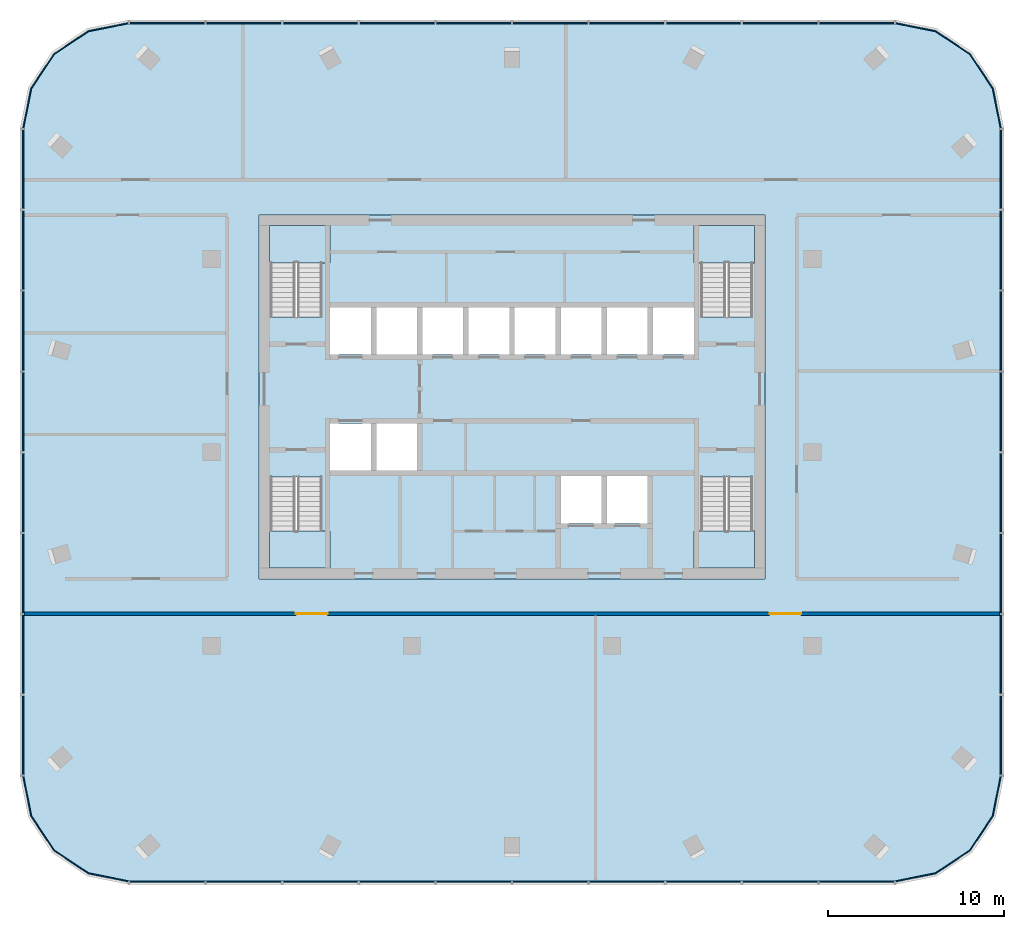
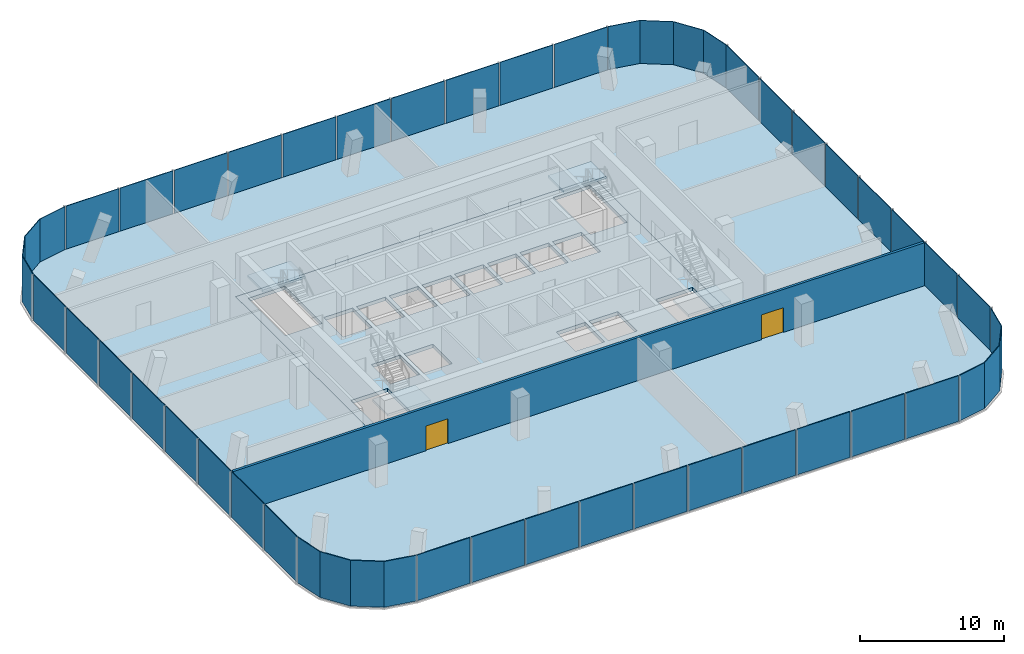
# One storey, part 6 of 10: 40 plates, 6 slabs, 2 doors, 1 wall, 2 openings, 12 elements without a shape of their own.
"""IFC4 building model written with IfcOpenShell, lengths in metres."""

from ifc_helpers import new_model, si_unit, direction, frame, frame_2d, origin, origin_2d, place, context, subcontext, project, spatial, polyline, rectangle, outline, extrude, material, layer, layer_set, type_object, element, fill, aggregate, save


model = new_model("IFC4")

# Units and contexts
model_context = context("Model", 3, precision=1e-05, world=origin(), true_north=direction((0.0, 1.0)))
body_context = subcontext(model_context, "Body", "Model", "MODEL_VIEW")
ifc_project = project(units=[si_unit("LENGTHUNIT", "METRE"), si_unit("AREAUNIT", "SQUARE_METRE"), si_unit("VOLUMEUNIT", "CUBIC_METRE"), si_unit("PLANEANGLEUNIT", "RADIAN"), si_unit("MASSUNIT", "GRAM", prefix="KILO")], contexts=[model_context])

# Site, building, storey
site_placement = place(None, origin())
site = spatial("IfcSite", under=ifc_project, at=site_placement, CompositionType="ELEMENT")
building_placement = place(site_placement, origin())
building = spatial("IfcBuilding", under=site, at=building_placement, Name="Mopane Tessera Tower", CompositionType="ELEMENT")
storey_placement = place(building_placement, frame((0.0, 0.0, 325.39990234375)))
storey = spatial("IfcBuildingStorey", under=building, at=storey_placement, Name="L71", CompositionType="ELEMENT", Elevation=325.39990234375)

# Slab
ifc_material_1 = material(Name="Concrete C40/50", Category="concrete")
ifc_layer_1 = layer(ifc_material_1, 0.300048828125)
ifc_layer_set_1 = layer_set([ifc_layer_1], Name="Concrete C40/50")
slab_type_1 = type_object("IfcSlabType", Name="Core floor slab 300 mm", PredefinedType="FLOOR", material=ifc_layer_set_1)
slab_1_placement = place(storey_placement, frame((0.0, 0.0, -0.2998046875)))
element("IfcSlab", 1, at=slab_1_placement, inside=storey, type_object=slab_type_1, Name="L71 core floor slab", PredefinedType="FLOOR", context=body_context, shape_type="SweptSolid", body=[
    extrude(outline(polyline([(-14.39990234375, -7.199951171875), (14.39990234375, -7.199951171875), (14.39990234375, 13.5), (-14.39990234375, 13.5), (-14.39990234375, -7.199951171875)]), holes=[polyline([(-10.35009765625, -1.050048828125), (-8.02490234375, -1.050048828125), (-8.02490234375, 1.64990234375), (-10.35009765625, 1.64990234375), (-10.35009765625, -1.050048828125)]), polyline([(-7.72509765625, -1.050048828125), (-5.39990234375, -1.050048828125), (-5.39990234375, 1.64990234375), (-7.72509765625, 1.64990234375), (-7.72509765625, -1.050048828125)]), polyline([(-10.35009765625, 5.550048828125), (-8.02490234375, 5.550048828125), (-8.02490234375, 8.25), (-10.35009765625, 8.25), (-10.35009765625, 5.550048828125)]), polyline([(-7.72509765625, 5.550048828125), (-5.39990234375, 5.550048828125), (-5.39990234375, 8.25), (-7.72509765625, 8.25), (-7.72509765625, 5.550048828125)]), polyline([(-5.10009765625, 5.550048828125), (-2.77490234375, 5.550048828125), (-2.77490234375, 8.25), (-5.10009765625, 8.25), (-5.10009765625, 5.550048828125)]), polyline([(-2.47509765625, 5.550048828125), (-0.14990234375, 5.550048828125), (-0.14990234375, 8.25), (-2.47509765625, 8.25), (-2.47509765625, 5.550048828125)]), polyline([(0.14990234375, 5.550048828125), (2.47509765625, 5.550048828125), (2.47509765625, 8.25), (0.14990234375, 8.25), (0.14990234375, 5.550048828125)]), polyline([(2.77490234375, 5.550048828125), (5.10009765625, 5.550048828125), (5.10009765625, 8.25), (2.77490234375, 8.25), (2.77490234375, 5.550048828125)]), polyline([(5.39990234375, 5.550048828125), (7.72509765625, 5.550048828125), (7.72509765625, 8.25), (5.39990234375, 8.25), (5.39990234375, 5.550048828125)]), polyline([(8.02490234375, 5.550048828125), (10.35009765625, 5.550048828125), (10.35009765625, 8.25), (8.02490234375, 8.25), (8.02490234375, 5.550048828125)]), polyline([(2.77490234375, -4.050048828125), (5.10009765625, -4.050048828125), (5.10009765625, -1.35009765625), (2.77490234375, -1.35009765625), (2.77490234375, -4.050048828125)]), polyline([(5.39990234375, -4.050048828125), (7.72509765625, -4.050048828125), (7.72509765625, -1.35009765625), (5.39990234375, -1.35009765625), (5.39990234375, -4.050048828125)]), polyline([(-13.75, -1.405029296875), (-13.75, -6.60009765625), (-10.800048828125, -6.60009765625), (-10.800048828125, -1.405029296875), (-13.75, -1.405029296875)]), polyline([(-10.800048828125, 7.705078125), (-10.800048828125, 12.89990234375), (-13.75, 12.89990234375), (-13.75, 7.705078125), (-10.800048828125, 7.705078125)]), polyline([(10.75, -1.405029296875), (10.75, -6.60009765625), (13.699951171875, -6.60009765625), (13.699951171875, -1.405029296875), (10.75, -1.405029296875)]), polyline([(13.699951171875, 7.705078125), (13.699951171875, 12.89990234375), (10.75, 12.89990234375), (10.75, 7.705078125), (13.699951171875, 7.705078125)])]), origin(), (0.0, 0.0, 1.0), 0.2998046875),
])

# Stair, slab
ifc_material_2 = material(Name="Concrete C50/60", Category="concrete")
stair_type = type_object("IfcStairType", Name="Escape stair 1400 mm, riser 167 mm", PredefinedType="HALF_TURN_STAIR", material=ifc_material_2)
stair_1_placement = place(storey_placement, origin())
stair_1 = element("IfcStair", 2, at=stair_1_placement, inside=storey, type_object=stair_type, Name="L71 Escape stair south-west", PredefinedType="HALF_TURN_STAIR")
ifc_material_3 = material(Name="Concrete C50/60", Category="concrete")
ifc_layer_2 = layer(ifc_material_3, 0.199951171875)
ifc_layer_set_2 = layer_set([ifc_layer_2], Name="Concrete C50/60")
slab_type_2 = type_object("IfcSlabType", Name="Escape stair landing 200 mm", PredefinedType="LANDING", material=ifc_layer_set_2)
slab_2_placement = place(storey_placement, frame((0.0, 0.0, 1.800048828125)))
slab_2 = element("IfcSlab", 3, at=slab_2_placement, type_object=slab_type_2, Name="ST1 landing 1", PredefinedType="LANDING", context=body_context, shape_type="SweptSolid", body=[
    extrude(outline(polyline([(-13.800048828125, -4.47998046875), (-13.800048828125, -6.60009765625), (-10.35009765625, -6.60009765625), (-10.35009765625, -4.47998046875), (-13.800048828125, -4.47998046875)])), origin(), (0.0, 0.0, 1.0), 0.199951171875),
])
aggregate(stair_1, [slab_2])

stair_2_placement = place(storey_placement, origin())
stair_2 = element("IfcStair", 4, at=stair_2_placement, inside=storey, type_object=stair_type, Name="L71 Escape stair north-west", PredefinedType="HALF_TURN_STAIR")
slab_3_placement = place(storey_placement, frame((0.0, 0.0, 1.800048828125)))
slab_3 = element("IfcSlab", 5, at=slab_3_placement, type_object=slab_type_2, Name="ST2 landing 1", PredefinedType="LANDING", context=body_context, shape_type="SweptSolid", body=[
    extrude(outline(polyline([(-10.35009765625, 10.780029296875), (-10.35009765625, 12.89990234375), (-13.800048828125, 12.89990234375), (-13.800048828125, 10.780029296875), (-10.35009765625, 10.780029296875)])), origin(), (0.0, 0.0, 1.0), 0.199951171875),
])
aggregate(stair_2, [slab_3])

stair_3_placement = place(storey_placement, origin())
stair_3 = element("IfcStair", 6, at=stair_3_placement, inside=storey, type_object=stair_type, Name="L71 Escape stair south-east", PredefinedType="HALF_TURN_STAIR")
slab_4_placement = place(storey_placement, frame((0.0, 0.0, 1.800048828125)))
slab_4 = element("IfcSlab", 7, at=slab_4_placement, type_object=slab_type_2, Name="ST3 landing 1", PredefinedType="LANDING", context=body_context, shape_type="SweptSolid", body=[
    extrude(outline(polyline([(10.35009765625, -4.47998046875), (10.35009765625, -6.60009765625), (13.800048828125, -6.60009765625), (13.800048828125, -4.47998046875), (10.35009765625, -4.47998046875)])), origin(), (0.0, 0.0, 1.0), 0.199951171875),
])
aggregate(stair_3, [slab_4])

stair_4_placement = place(storey_placement, origin())
stair_4 = element("IfcStair", 8, at=stair_4_placement, inside=storey, type_object=stair_type, Name="L71 Escape stair north-east", PredefinedType="HALF_TURN_STAIR")
slab_5_placement = place(storey_placement, frame((0.0, 0.0, 1.800048828125)))
slab_5 = element("IfcSlab", 9, at=slab_5_placement, type_object=slab_type_2, Name="ST4 landing 1", PredefinedType="LANDING", context=body_context, shape_type="SweptSolid", body=[
    extrude(outline(polyline([(13.800048828125, 10.780029296875), (13.800048828125, 12.89990234375), (10.35009765625, 12.89990234375), (10.35009765625, 10.780029296875), (13.800048828125, 10.780029296875)])), origin(), (0.0, 0.0, 1.0), 0.199951171875),
])
aggregate(stair_4, [slab_5])

# Slab
ifc_material_4 = material(Name="Concrete C40/50", Category="concrete")
ifc_layer_3 = layer(ifc_material_4, 0.35009765625)
ifc_layer_set_3 = layer_set([ifc_layer_3], Name="Concrete C40/50")
slab_type_3 = type_object("IfcSlabType", Name="Post-tensioned flat plate 350 mm", PredefinedType="FLOOR", material=ifc_layer_set_3)
slab_6_placement = place(storey_placement, frame((0.0, 0.0, -0.349853515625)))
element("IfcSlab", 10, at=slab_6_placement, inside=storey, type_object=slab_type_3, Name="Floor slab L71", PredefinedType="FLOOR", context=body_context, shape_type="SweptSolid", body=[
    extrude(outline(polyline([(-21.800048828125, -24.39990234375), (21.800048828125, -24.39990234375), (24.09619140625, -23.943359375), (26.042724609375, -22.642578125), (27.34326171875, -20.696044921875), (27.800048828125, -18.39990234375), (27.800048828125, 18.39990234375), (27.34326171875, 20.696044921875), (26.042724609375, 22.642578125), (24.09619140625, 23.943359375), (21.800048828125, 24.39990234375), (-21.800048828125, 24.39990234375), (-24.09619140625, 23.943359375), (-26.042724609375, 22.642578125), (-27.34326171875, 20.696044921875), (-27.800048828125, 18.39990234375), (-27.800048828125, -18.39990234375), (-27.34326171875, -20.696044921875), (-26.042724609375, -22.642578125), (-24.09619140625, -23.943359375), (-21.800048828125, -24.39990234375)]), holes=[polyline([(14.39990234375, -7.199951171875), (-14.39990234375, -7.199951171875), (-14.39990234375, 13.5), (14.39990234375, 13.5), (14.39990234375, -7.199951171875)])]), origin(), (0.0, 0.0, 1.0), 0.349853515625),
])

# Curtain wall, plates
ifc_material_5 = material(Name="Aluminium frame", Category="aluminium")
curtain_wall_type = type_object("IfcCurtainWallType", Name="Unitised curtain wall", PredefinedType="NOTDEFINED", material=ifc_material_5)
curtain_wall_1_placement = place(storey_placement, origin())
curtain_wall_1 = element("IfcCurtainWall", 11, at=curtain_wall_1_placement, inside=storey, type_object=curtain_wall_type, Name="e:cw:L71:S:0", PredefinedType="NOTDEFINED")
ifc_material_6 = material(Name="Clear laminated glass", Category="glass")
ifc_layer_4 = layer(ifc_material_6, 0.06005859375)
ifc_layer_set_4 = layer_set([ifc_layer_4], Name="Clear laminated glass")
plate_type = type_object("IfcPlateType", Name="Unitised glazed unit", PredefinedType="CURTAIN_PANEL", material=ifc_layer_set_4)
plate_1_placement = place(storey_placement, frame((-19.6201171875, -24.429931640625, -0.229736328125), z_axis=(0.0, 0.0, 1.0), x_axis=(1.0, 0.0, 0.0)))
plate_1 = element("IfcPlate", 12, at=plate_1_placement, type_object=plate_type, Name="e:cw:L71:S:0:pn0", PredefinedType="CURTAIN_PANEL", context=body_context, shape_type="SweptSolid", body=[
    extrude(rectangle(XDim=4.260009765625, YDim=0.06005859375, at=origin_2d()), origin(), (0.0, 0.0, 1.0), 3.8798828125),
])
plate_2_placement = place(storey_placement, frame((-15.260009765625, -24.429931640625, -0.229736328125), z_axis=(0.0, 0.0, 1.0), x_axis=(1.0, 0.0, 0.0)))
plate_2 = element("IfcPlate", 13, at=plate_2_placement, type_object=plate_type, Name="e:cw:L71:S:0:pn1", PredefinedType="CURTAIN_PANEL", context=body_context, shape_type="SweptSolid", body=[
    extrude(rectangle(XDim=4.260009765625, YDim=0.06005859375, at=origin_2d()), origin(), (0.0, 0.0, 1.0), 3.8798828125),
])
plate_3_placement = place(storey_placement, frame((-10.89990234375, -24.429931640625, -0.229736328125), z_axis=(0.0, 0.0, 1.0), x_axis=(1.0, 0.0, 0.0)))
plate_3 = element("IfcPlate", 14, at=plate_3_placement, type_object=plate_type, Name="e:cw:L71:S:0:pn2", PredefinedType="CURTAIN_PANEL", context=body_context, shape_type="SweptSolid", body=[
    extrude(rectangle(XDim=4.260009765625, YDim=0.06005859375, at=origin_2d()), origin(), (0.0, 0.0, 1.0), 3.8798828125),
])
plate_4_placement = place(storey_placement, frame((-6.5400390625, -24.429931640625, -0.229736328125), z_axis=(0.0, 0.0, 1.0), x_axis=(1.0, 0.0, 0.0)))
plate_4 = element("IfcPlate", 15, at=plate_4_placement, type_object=plate_type, Name="e:cw:L71:S:0:pn3", PredefinedType="CURTAIN_PANEL", context=body_context, shape_type="SweptSolid", body=[
    extrude(rectangle(XDim=4.260009765625, YDim=0.06005859375, at=origin_2d()), origin(), (0.0, 0.0, 1.0), 3.8798828125),
])
plate_5_placement = place(storey_placement, frame((-2.179931640625, -24.429931640625, -0.229736328125), z_axis=(0.0, 0.0, 1.0), x_axis=(1.0, 0.0, 0.0)))
plate_5 = element("IfcPlate", 16, at=plate_5_placement, type_object=plate_type, Name="e:cw:L71:S:0:pn4", PredefinedType="CURTAIN_PANEL", context=body_context, shape_type="SweptSolid", body=[
    extrude(rectangle(XDim=4.260009765625, YDim=0.06005859375, at=origin_2d()), origin(), (0.0, 0.0, 1.0), 3.8798828125),
])
plate_6_placement = place(storey_placement, frame((2.179931640625, -24.429931640625, -0.229736328125), z_axis=(0.0, 0.0, 1.0), x_axis=(1.0, 0.0, 0.0)))
plate_6 = element("IfcPlate", 17, at=plate_6_placement, type_object=plate_type, Name="e:cw:L71:S:0:pn5", PredefinedType="CURTAIN_PANEL", context=body_context, shape_type="SweptSolid", body=[
    extrude(rectangle(XDim=4.260009765625, YDim=0.06005859375, at=origin_2d()), origin(), (0.0, 0.0, 1.0), 3.8798828125),
])
plate_7_placement = place(storey_placement, frame((6.5400390625, -24.429931640625, -0.229736328125), z_axis=(0.0, 0.0, 1.0), x_axis=(1.0, 0.0, 0.0)))
plate_7 = element("IfcPlate", 18, at=plate_7_placement, type_object=plate_type, Name="e:cw:L71:S:0:pn6", PredefinedType="CURTAIN_PANEL", context=body_context, shape_type="SweptSolid", body=[
    extrude(rectangle(XDim=4.260009765625, YDim=0.06005859375, at=origin_2d()), origin(), (0.0, 0.0, 1.0), 3.8798828125),
])
plate_8_placement = place(storey_placement, frame((10.89990234375, -24.429931640625, -0.229736328125), z_axis=(0.0, 0.0, 1.0), x_axis=(1.0, 0.0, 0.0)))
plate_8 = element("IfcPlate", 19, at=plate_8_placement, type_object=plate_type, Name="e:cw:L71:S:0:pn7", PredefinedType="CURTAIN_PANEL", context=body_context, shape_type="SweptSolid", body=[
    extrude(rectangle(XDim=4.260009765625, YDim=0.06005859375, at=origin_2d()), origin(), (0.0, 0.0, 1.0), 3.8798828125),
])
plate_9_placement = place(storey_placement, frame((15.260009765625, -24.429931640625, -0.229736328125), z_axis=(0.0, 0.0, 1.0), x_axis=(1.0, 0.0, 0.0)))
plate_9 = element("IfcPlate", 20, at=plate_9_placement, type_object=plate_type, Name="e:cw:L71:S:0:pn8", PredefinedType="CURTAIN_PANEL", context=body_context, shape_type="SweptSolid", body=[
    extrude(rectangle(XDim=4.260009765625, YDim=0.06005859375, at=origin_2d()), origin(), (0.0, 0.0, 1.0), 3.8798828125),
])
plate_10_placement = place(storey_placement, frame((19.6201171875, -24.429931640625, -0.229736328125), z_axis=(0.0, 0.0, 1.0), x_axis=(1.0, 0.0, 0.0)))
plate_10 = element("IfcPlate", 21, at=plate_10_placement, type_object=plate_type, Name="e:cw:L71:S:0:pn9", PredefinedType="CURTAIN_PANEL", context=body_context, shape_type="SweptSolid", body=[
    extrude(rectangle(XDim=4.260009765625, YDim=0.06005859375, at=origin_2d()), origin(), (0.0, 0.0, 1.0), 3.8798828125),
])
aggregate(curtain_wall_1, [plate_1, plate_2, plate_3, plate_4, plate_5, plate_6, plate_7, plate_8, plate_9, plate_10])

# Curtain wall, plate
curtain_wall_2_placement = place(storey_placement, origin())
curtain_wall_2 = element("IfcCurtainWall", 22, at=curtain_wall_2_placement, inside=storey, type_object=curtain_wall_type, Name="e:cw:L71:CS", PredefinedType="NOTDEFINED")
plate_11_placement = place(storey_placement, frame((0.0, 0.0, -0.22998046875)))
plate_11 = element("IfcPlate", 23, at=plate_11_placement, type_object=plate_type, Name="e:cw:L71:CS:pn", PredefinedType="CURTAIN_PANEL", context=body_context, shape_type="SweptSolid", body=[
    extrude(outline(polyline([(21.800048828125, -24.39990234375), (24.09619140625, -23.943359375), (26.042724609375, -22.642578125), (27.34326171875, -20.696044921875), (27.800048828125, -18.39990234375), (27.860107421875, -18.39990234375), (27.398681640625, -20.718994140625), (26.0849609375, -22.68505859375), (24.119140625, -23.998779296875), (21.800048828125, -24.4599609375), (21.800048828125, -24.39990234375)])), origin(), (0.0, 0.0, 1.0), 3.880126953125),
])
aggregate(curtain_wall_2, [plate_11])

# Curtain wall, plates
curtain_wall_3_placement = place(storey_placement, origin())
curtain_wall_3 = element("IfcCurtainWall", 24, at=curtain_wall_3_placement, inside=storey, type_object=curtain_wall_type, Name="e:cw:L71:E:0", PredefinedType="NOTDEFINED")
plate_12_placement = place(storey_placement, frame((27.830078125, -16.10009765625, -0.229736328125), z_axis=(0.0, 0.0, 1.0), x_axis=(0.0, 1.0, 0.0)))
plate_12 = element("IfcPlate", 25, at=plate_12_placement, type_object=plate_type, Name="e:cw:L71:E:0:pn0", PredefinedType="CURTAIN_PANEL", context=body_context, shape_type="SweptSolid", body=[
    extrude(rectangle(XDim=4.5, YDim=0.06005859375, at=origin_2d()), origin(), (0.0, 0.0, 1.0), 3.8798828125),
])
plate_13_placement = place(storey_placement, frame((27.830078125, -11.5, -0.229736328125), z_axis=(0.0, 0.0, 1.0), x_axis=(0.0, 1.0, 0.0)))
plate_13 = element("IfcPlate", 26, at=plate_13_placement, type_object=plate_type, Name="e:cw:L71:E:0:pn1", PredefinedType="CURTAIN_PANEL", context=body_context, shape_type="SweptSolid", body=[
    extrude(rectangle(XDim=4.5, YDim=0.06005859375, at=origin_2d()), origin(), (0.0, 0.0, 1.0), 3.8798828125),
])
plate_14_placement = place(storey_placement, frame((27.830078125, -6.89990234375, -0.229736328125), z_axis=(0.0, 0.0, 1.0), x_axis=(0.0, 1.0, 0.0)))
plate_14 = element("IfcPlate", 27, at=plate_14_placement, type_object=plate_type, Name="e:cw:L71:E:0:pn2", PredefinedType="CURTAIN_PANEL", context=body_context, shape_type="SweptSolid", body=[
    extrude(rectangle(XDim=4.5, YDim=0.06005859375, at=origin_2d()), origin(), (0.0, 0.0, 1.0), 3.8798828125),
])
plate_15_placement = place(storey_placement, frame((27.830078125, -2.300048828125, -0.229736328125), z_axis=(0.0, 0.0, 1.0), x_axis=(0.0, 1.0, 0.0)))
plate_15 = element("IfcPlate", 28, at=plate_15_placement, type_object=plate_type, Name="e:cw:L71:E:0:pn3", PredefinedType="CURTAIN_PANEL", context=body_context, shape_type="SweptSolid", body=[
    extrude(rectangle(XDim=4.5, YDim=0.06005859375, at=origin_2d()), origin(), (0.0, 0.0, 1.0), 3.8798828125),
])
plate_16_placement = place(storey_placement, frame((27.830078125, 2.300048828125, -0.229736328125), z_axis=(0.0, 0.0, 1.0), x_axis=(0.0, 1.0, 0.0)))
plate_16 = element("IfcPlate", 29, at=plate_16_placement, type_object=plate_type, Name="e:cw:L71:E:0:pn4", PredefinedType="CURTAIN_PANEL", context=body_context, shape_type="SweptSolid", body=[
    extrude(rectangle(XDim=4.5, YDim=0.06005859375, at=origin_2d()), origin(), (0.0, 0.0, 1.0), 3.8798828125),
])
plate_17_placement = place(storey_placement, frame((27.830078125, 6.89990234375, -0.229736328125), z_axis=(0.0, 0.0, 1.0), x_axis=(0.0, 1.0, 0.0)))
plate_17 = element("IfcPlate", 30, at=plate_17_placement, type_object=plate_type, Name="e:cw:L71:E:0:pn5", PredefinedType="CURTAIN_PANEL", context=body_context, shape_type="SweptSolid", body=[
    extrude(rectangle(XDim=4.5, YDim=0.06005859375, at=origin_2d()), origin(), (0.0, 0.0, 1.0), 3.8798828125),
])
plate_18_placement = place(storey_placement, frame((27.830078125, 11.5, -0.229736328125), z_axis=(0.0, 0.0, 1.0), x_axis=(0.0, 1.0, 0.0)))
plate_18 = element("IfcPlate", 31, at=plate_18_placement, type_object=plate_type, Name="e:cw:L71:E:0:pn6", PredefinedType="CURTAIN_PANEL", context=body_context, shape_type="SweptSolid", body=[
    extrude(rectangle(XDim=4.5, YDim=0.06005859375, at=origin_2d()), origin(), (0.0, 0.0, 1.0), 3.8798828125),
])
plate_19_placement = place(storey_placement, frame((27.830078125, 16.10009765625, -0.229736328125), z_axis=(0.0, 0.0, 1.0), x_axis=(0.0, 1.0, 0.0)))
plate_19 = element("IfcPlate", 32, at=plate_19_placement, type_object=plate_type, Name="e:cw:L71:E:0:pn7", PredefinedType="CURTAIN_PANEL", context=body_context, shape_type="SweptSolid", body=[
    extrude(rectangle(XDim=4.5, YDim=0.06005859375, at=origin_2d()), origin(), (0.0, 0.0, 1.0), 3.8798828125),
])
aggregate(curtain_wall_3, [plate_12, plate_13, plate_14, plate_15, plate_16, plate_17, plate_18, plate_19])

# Curtain wall, plate
curtain_wall_4_placement = place(storey_placement, origin())
curtain_wall_4 = element("IfcCurtainWall", 33, at=curtain_wall_4_placement, inside=storey, type_object=curtain_wall_type, Name="e:cw:L71:CE", PredefinedType="NOTDEFINED")
plate_20_placement = place(storey_placement, frame((0.0, 0.0, -0.22998046875)))
plate_20 = element("IfcPlate", 34, at=plate_20_placement, type_object=plate_type, Name="e:cw:L71:CE:pn", PredefinedType="CURTAIN_PANEL", context=body_context, shape_type="SweptSolid", body=[
    extrude(outline(polyline([(27.800048828125, 18.39990234375), (27.34326171875, 20.696044921875), (26.042724609375, 22.642578125), (24.09619140625, 23.943359375), (21.800048828125, 24.39990234375), (21.800048828125, 24.4599609375), (24.119140625, 23.998779296875), (26.0849609375, 22.68505859375), (27.398681640625, 20.718994140625), (27.860107421875, 18.39990234375), (27.800048828125, 18.39990234375)])), origin(), (0.0, 0.0, 1.0), 3.880126953125),
])
aggregate(curtain_wall_4, [plate_20])

# Curtain wall, plates
curtain_wall_5_placement = place(storey_placement, origin())
curtain_wall_5 = element("IfcCurtainWall", 35, at=curtain_wall_5_placement, inside=storey, type_object=curtain_wall_type, Name="e:cw:L71:N:0", PredefinedType="NOTDEFINED")
plate_21_placement = place(storey_placement, frame((19.6201171875, 24.429931640625, -0.229736328125), z_axis=(0.0, 0.0, 1.0), x_axis=(-1.0, 0.0, 0.0)))
plate_21 = element("IfcPlate", 36, at=plate_21_placement, type_object=plate_type, Name="e:cw:L71:N:0:pn0", PredefinedType="CURTAIN_PANEL", context=body_context, shape_type="SweptSolid", body=[
    extrude(rectangle(XDim=4.260009765625, YDim=0.06005859375, at=origin_2d()), origin(), (0.0, 0.0, 1.0), 3.8798828125),
])
plate_22_placement = place(storey_placement, frame((15.260009765625, 24.429931640625, -0.229736328125), z_axis=(0.0, 0.0, 1.0), x_axis=(-1.0, 0.0, 0.0)))
plate_22 = element("IfcPlate", 37, at=plate_22_placement, type_object=plate_type, Name="e:cw:L71:N:0:pn1", PredefinedType="CURTAIN_PANEL", context=body_context, shape_type="SweptSolid", body=[
    extrude(rectangle(XDim=4.260009765625, YDim=0.06005859375, at=origin_2d()), origin(), (0.0, 0.0, 1.0), 3.8798828125),
])
plate_23_placement = place(storey_placement, frame((10.89990234375, 24.429931640625, -0.229736328125), z_axis=(0.0, 0.0, 1.0), x_axis=(-1.0, 0.0, 0.0)))
plate_23 = element("IfcPlate", 38, at=plate_23_placement, type_object=plate_type, Name="e:cw:L71:N:0:pn2", PredefinedType="CURTAIN_PANEL", context=body_context, shape_type="SweptSolid", body=[
    extrude(rectangle(XDim=4.260009765625, YDim=0.06005859375, at=origin_2d()), origin(), (0.0, 0.0, 1.0), 3.8798828125),
])
plate_24_placement = place(storey_placement, frame((6.5400390625, 24.429931640625, -0.229736328125), z_axis=(0.0, 0.0, 1.0), x_axis=(-1.0, 0.0, 0.0)))
plate_24 = element("IfcPlate", 39, at=plate_24_placement, type_object=plate_type, Name="e:cw:L71:N:0:pn3", PredefinedType="CURTAIN_PANEL", context=body_context, shape_type="SweptSolid", body=[
    extrude(rectangle(XDim=4.260009765625, YDim=0.06005859375, at=origin_2d()), origin(), (0.0, 0.0, 1.0), 3.8798828125),
])
plate_25_placement = place(storey_placement, frame((2.179931640625, 24.429931640625, -0.229736328125), z_axis=(0.0, 0.0, 1.0), x_axis=(-1.0, 0.0, 0.0)))
plate_25 = element("IfcPlate", 40, at=plate_25_placement, type_object=plate_type, Name="e:cw:L71:N:0:pn4", PredefinedType="CURTAIN_PANEL", context=body_context, shape_type="SweptSolid", body=[
    extrude(rectangle(XDim=4.260009765625, YDim=0.06005859375, at=origin_2d()), origin(), (0.0, 0.0, 1.0), 3.8798828125),
])
plate_26_placement = place(storey_placement, frame((-2.179931640625, 24.429931640625, -0.229736328125), z_axis=(0.0, 0.0, 1.0), x_axis=(-1.0, 0.0, 0.0)))
plate_26 = element("IfcPlate", 41, at=plate_26_placement, type_object=plate_type, Name="e:cw:L71:N:0:pn5", PredefinedType="CURTAIN_PANEL", context=body_context, shape_type="SweptSolid", body=[
    extrude(rectangle(XDim=4.260009765625, YDim=0.06005859375, at=origin_2d()), origin(), (0.0, 0.0, 1.0), 3.8798828125),
])
plate_27_placement = place(storey_placement, frame((-6.5400390625, 24.429931640625, -0.229736328125), z_axis=(0.0, 0.0, 1.0), x_axis=(-1.0, 0.0, 0.0)))
plate_27 = element("IfcPlate", 42, at=plate_27_placement, type_object=plate_type, Name="e:cw:L71:N:0:pn6", PredefinedType="CURTAIN_PANEL", context=body_context, shape_type="SweptSolid", body=[
    extrude(rectangle(XDim=4.260009765625, YDim=0.06005859375, at=origin_2d()), origin(), (0.0, 0.0, 1.0), 3.8798828125),
])
plate_28_placement = place(storey_placement, frame((-10.89990234375, 24.429931640625, -0.229736328125), z_axis=(0.0, 0.0, 1.0), x_axis=(-1.0, 0.0, 0.0)))
plate_28 = element("IfcPlate", 43, at=plate_28_placement, type_object=plate_type, Name="e:cw:L71:N:0:pn7", PredefinedType="CURTAIN_PANEL", context=body_context, shape_type="SweptSolid", body=[
    extrude(rectangle(XDim=4.260009765625, YDim=0.06005859375, at=origin_2d()), origin(), (0.0, 0.0, 1.0), 3.8798828125),
])
plate_29_placement = place(storey_placement, frame((-15.260009765625, 24.429931640625, -0.229736328125), z_axis=(0.0, 0.0, 1.0), x_axis=(-1.0, 0.0, 0.0)))
plate_29 = element("IfcPlate", 44, at=plate_29_placement, type_object=plate_type, Name="e:cw:L71:N:0:pn8", PredefinedType="CURTAIN_PANEL", context=body_context, shape_type="SweptSolid", body=[
    extrude(rectangle(XDim=4.260009765625, YDim=0.06005859375, at=origin_2d()), origin(), (0.0, 0.0, 1.0), 3.8798828125),
])
plate_30_placement = place(storey_placement, frame((-19.6201171875, 24.429931640625, -0.229736328125), z_axis=(0.0, 0.0, 1.0), x_axis=(-1.0, 0.0, 0.0)))
plate_30 = element("IfcPlate", 45, at=plate_30_placement, type_object=plate_type, Name="e:cw:L71:N:0:pn9", PredefinedType="CURTAIN_PANEL", context=body_context, shape_type="SweptSolid", body=[
    extrude(rectangle(XDim=4.260009765625, YDim=0.06005859375, at=origin_2d()), origin(), (0.0, 0.0, 1.0), 3.8798828125),
])
aggregate(curtain_wall_5, [plate_21, plate_22, plate_23, plate_24, plate_25, plate_26, plate_27, plate_28, plate_29, plate_30])

# Curtain wall, plate
curtain_wall_6_placement = place(storey_placement, origin())
curtain_wall_6 = element("IfcCurtainWall", 46, at=curtain_wall_6_placement, inside=storey, type_object=curtain_wall_type, Name="e:cw:L71:CN", PredefinedType="NOTDEFINED")
plate_31_placement = place(storey_placement, frame((0.0, 0.0, -0.22998046875)))
plate_31 = element("IfcPlate", 47, at=plate_31_placement, type_object=plate_type, Name="e:cw:L71:CN:pn", PredefinedType="CURTAIN_PANEL", context=body_context, shape_type="SweptSolid", body=[
    extrude(outline(polyline([(-21.800048828125, 24.39990234375), (-24.09619140625, 23.943359375), (-26.042724609375, 22.642578125), (-27.34326171875, 20.696044921875), (-27.800048828125, 18.39990234375), (-27.860107421875, 18.39990234375), (-27.398681640625, 20.718994140625), (-26.0849609375, 22.68505859375), (-24.119140625, 23.998779296875), (-21.800048828125, 24.4599609375), (-21.800048828125, 24.39990234375)])), origin(), (0.0, 0.0, 1.0), 3.880126953125),
])
aggregate(curtain_wall_6, [plate_31])

# Curtain wall, plates
curtain_wall_7_placement = place(storey_placement, origin())
curtain_wall_7 = element("IfcCurtainWall", 48, at=curtain_wall_7_placement, inside=storey, type_object=curtain_wall_type, Name="e:cw:L71:W:0", PredefinedType="NOTDEFINED")
plate_32_placement = place(storey_placement, frame((-27.830078125, 16.10009765625, -0.229736328125), z_axis=(0.0, 0.0, 1.0), x_axis=(0.0, -1.0, 0.0)))
plate_32 = element("IfcPlate", 49, at=plate_32_placement, type_object=plate_type, Name="e:cw:L71:W:0:pn0", PredefinedType="CURTAIN_PANEL", context=body_context, shape_type="SweptSolid", body=[
    extrude(rectangle(XDim=4.5, YDim=0.06005859375, at=origin_2d()), origin(), (0.0, 0.0, 1.0), 3.8798828125),
])
plate_33_placement = place(storey_placement, frame((-27.830078125, 11.5, -0.229736328125), z_axis=(0.0, 0.0, 1.0), x_axis=(0.0, -1.0, 0.0)))
plate_33 = element("IfcPlate", 50, at=plate_33_placement, type_object=plate_type, Name="e:cw:L71:W:0:pn1", PredefinedType="CURTAIN_PANEL", context=body_context, shape_type="SweptSolid", body=[
    extrude(rectangle(XDim=4.5, YDim=0.06005859375, at=origin_2d()), origin(), (0.0, 0.0, 1.0), 3.8798828125),
])
plate_34_placement = place(storey_placement, frame((-27.830078125, 6.89990234375, -0.229736328125), z_axis=(0.0, 0.0, 1.0), x_axis=(0.0, -1.0, 0.0)))
plate_34 = element("IfcPlate", 51, at=plate_34_placement, type_object=plate_type, Name="e:cw:L71:W:0:pn2", PredefinedType="CURTAIN_PANEL", context=body_context, shape_type="SweptSolid", body=[
    extrude(rectangle(XDim=4.5, YDim=0.06005859375, at=origin_2d()), origin(), (0.0, 0.0, 1.0), 3.8798828125),
])
plate_35_placement = place(storey_placement, frame((-27.830078125, 2.300048828125, -0.229736328125), z_axis=(0.0, 0.0, 1.0), x_axis=(0.0, -1.0, 0.0)))
plate_35 = element("IfcPlate", 52, at=plate_35_placement, type_object=plate_type, Name="e:cw:L71:W:0:pn3", PredefinedType="CURTAIN_PANEL", context=body_context, shape_type="SweptSolid", body=[
    extrude(rectangle(XDim=4.5, YDim=0.06005859375, at=origin_2d()), origin(), (0.0, 0.0, 1.0), 3.8798828125),
])
plate_36_placement = place(storey_placement, frame((-27.830078125, -2.300048828125, -0.229736328125), z_axis=(0.0, 0.0, 1.0), x_axis=(0.0, -1.0, 0.0)))
plate_36 = element("IfcPlate", 53, at=plate_36_placement, type_object=plate_type, Name="e:cw:L71:W:0:pn4", PredefinedType="CURTAIN_PANEL", context=body_context, shape_type="SweptSolid", body=[
    extrude(rectangle(XDim=4.5, YDim=0.06005859375, at=origin_2d()), origin(), (0.0, 0.0, 1.0), 3.8798828125),
])
plate_37_placement = place(storey_placement, frame((-27.830078125, -6.89990234375, -0.229736328125), z_axis=(0.0, 0.0, 1.0), x_axis=(0.0, -1.0, 0.0)))
plate_37 = element("IfcPlate", 54, at=plate_37_placement, type_object=plate_type, Name="e:cw:L71:W:0:pn5", PredefinedType="CURTAIN_PANEL", context=body_context, shape_type="SweptSolid", body=[
    extrude(rectangle(XDim=4.5, YDim=0.06005859375, at=origin_2d()), origin(), (0.0, 0.0, 1.0), 3.8798828125),
])
plate_38_placement = place(storey_placement, frame((-27.830078125, -11.5, -0.229736328125), z_axis=(0.0, 0.0, 1.0), x_axis=(0.0, -1.0, 0.0)))
plate_38 = element("IfcPlate", 55, at=plate_38_placement, type_object=plate_type, Name="e:cw:L71:W:0:pn6", PredefinedType="CURTAIN_PANEL", context=body_context, shape_type="SweptSolid", body=[
    extrude(rectangle(XDim=4.5, YDim=0.06005859375, at=origin_2d()), origin(), (0.0, 0.0, 1.0), 3.8798828125),
])
plate_39_placement = place(storey_placement, frame((-27.830078125, -16.10009765625, -0.229736328125), z_axis=(0.0, 0.0, 1.0), x_axis=(0.0, -1.0, 0.0)))
plate_39 = element("IfcPlate", 56, at=plate_39_placement, type_object=plate_type, Name="e:cw:L71:W:0:pn7", PredefinedType="CURTAIN_PANEL", context=body_context, shape_type="SweptSolid", body=[
    extrude(rectangle(XDim=4.5, YDim=0.06005859375, at=origin_2d()), origin(), (0.0, 0.0, 1.0), 3.8798828125),
])
aggregate(curtain_wall_7, [plate_32, plate_33, plate_34, plate_35, plate_36, plate_37, plate_38, plate_39])

# Curtain wall, plate
curtain_wall_8_placement = place(storey_placement, origin())
curtain_wall_8 = element("IfcCurtainWall", 57, at=curtain_wall_8_placement, inside=storey, type_object=curtain_wall_type, Name="e:cw:L71:CW", PredefinedType="NOTDEFINED")
plate_40_placement = place(storey_placement, frame((0.0, 0.0, -0.22998046875)))
plate_40 = element("IfcPlate", 58, at=plate_40_placement, type_object=plate_type, Name="e:cw:L71:CW:pn", PredefinedType="CURTAIN_PANEL", context=body_context, shape_type="SweptSolid", body=[
    extrude(outline(polyline([(-27.800048828125, -18.39990234375), (-27.34326171875, -20.696044921875), (-26.042724609375, -22.642578125), (-24.09619140625, -23.943359375), (-21.800048828125, -24.39990234375), (-21.800048828125, -24.4599609375), (-24.119140625, -23.998779296875), (-26.0849609375, -22.68505859375), (-27.398681640625, -20.718994140625), (-27.860107421875, -18.39990234375), (-27.800048828125, -18.39990234375)])), origin(), (0.0, 0.0, 1.0), 3.880126953125),
])
aggregate(curtain_wall_8, [plate_40])

# Wall, openings, doors
ifc_material_7 = material(Name="Gypsum board on steel studs, two layers each face, mineral wool infill", Category="steel")
ifc_layer_5 = layer(ifc_material_7, 0.199951171875)
ifc_layer_set_5 = layer_set([ifc_layer_5], Name="Gypsum board on steel studs, two layers each face, mineral wool infill")
wall_type = type_object("IfcWallType", Name="Gypsum board corridor wall 200, rated EI 60", PredefinedType="PARTITIONING", material=ifc_layer_set_5)
wall_placement = place(storey_placement, frame((-27.75, -9.199951171875, 0.0), z_axis=(0.0, 0.0, 1.0), x_axis=(1.0, 0.0, 0.0)))
wall = element("IfcWall", 59, at=wall_placement, inside=storey, type_object=wall_type, Name="Partition L71:000", PredefinedType="PARTITIONING", context=body_context, shape_type="SweptSolid", body=[
    extrude(rectangle(XDim=55.5, YDim=0.199951171875, at=frame_2d((27.75, 0.0))), origin(), (0.0, 0.0, 1.0), 3.650146484375),
])
opening_1_placement = place(wall_placement, frame((42.405029296875, 0.0, 0.0)))
opening_1 = element("IfcOpeningElement", 60, at=opening_1_placement, cuts=wall, Name="Opening L71-05", PredefinedType="OPENING", context=body_context, shape_type="SweptSolid", body=[
    extrude(rectangle(XDim=1.800048828125, YDim=2.10009765625, at=frame_2d((0.89990234375, 1.050048828125))), frame((0.0, 0.112060546875, 0.0), z_axis=(0.0, -1.0, 0.0), x_axis=(1.0, 0.0, 0.0)), (0.0, 0.0, 1.0), 0.223876953125),
])
opening_2_placement = place(wall_placement, frame((15.455078125, 0.0, 0.0)))
opening_2 = element("IfcOpeningElement", 61, at=opening_2_placement, cuts=wall, Name="Opening L71-08", PredefinedType="OPENING", context=body_context, shape_type="SweptSolid", body=[
    extrude(rectangle(XDim=1.800048828125, YDim=2.10009765625, at=frame_2d((0.89990234375, 1.050048828125))), frame((0.0, 0.112060546875, 0.0), z_axis=(0.0, -1.0, 0.0), x_axis=(1.0, 0.0, 0.0)), (0.0, 0.0, 1.0), 0.223876953125),
])
ifc_material_8 = material(Name="Timber veneered steel-framed fire door", Category="steel")
door_type = type_object("IfcDoorType", Name="Fire door pair FD60 1800 x 2100", OperationType="DOUBLE_DOOR_SINGLE_SWING", PredefinedType="DOOR", material=ifc_material_8)
door_1_placement = place(opening_1_placement, origin())
door_1 = element("IfcDoor", 62, at=door_1_placement, inside=storey, type_object=door_type, Name="Door L71-05", ObjectType="D20A", OperationType="DOUBLE_DOOR_SINGLE_SWING", OverallHeight=2.10009765625, OverallWidth=1.800048828125, PredefinedType="DOOR", context=body_context, shape_type="SweptSolid", body=[
    extrude(rectangle(XDim=1.800048828125, YDim=2.10009765625, at=frame_2d((0.89990234375, 1.050048828125))), frame((0.0, 0.02490234375, 0.0), z_axis=(0.0, -1.0, 0.0), x_axis=(1.0, 0.0, 0.0)), (0.0, 0.0, 1.0), 0.050048828125),
])
fill(opening_1, door_1)
door_2_placement = place(opening_2_placement, origin())
door_2 = element("IfcDoor", 63, at=door_2_placement, inside=storey, type_object=door_type, Name="Door L71-08", ObjectType="D20A", OperationType="DOUBLE_DOOR_SINGLE_SWING", OverallHeight=2.10009765625, OverallWidth=1.800048828125, PredefinedType="DOOR", context=body_context, shape_type="SweptSolid", body=[
    extrude(rectangle(XDim=1.800048828125, YDim=2.10009765625, at=frame_2d((0.89990234375, 1.050048828125))), frame((0.0, 0.02490234375, 0.0), z_axis=(0.0, -1.0, 0.0), x_axis=(1.0, 0.0, 0.0)), (0.0, 0.0, 1.0), 0.050048828125),
])
fill(opening_2, door_2)

save(model, "model.ifc")
